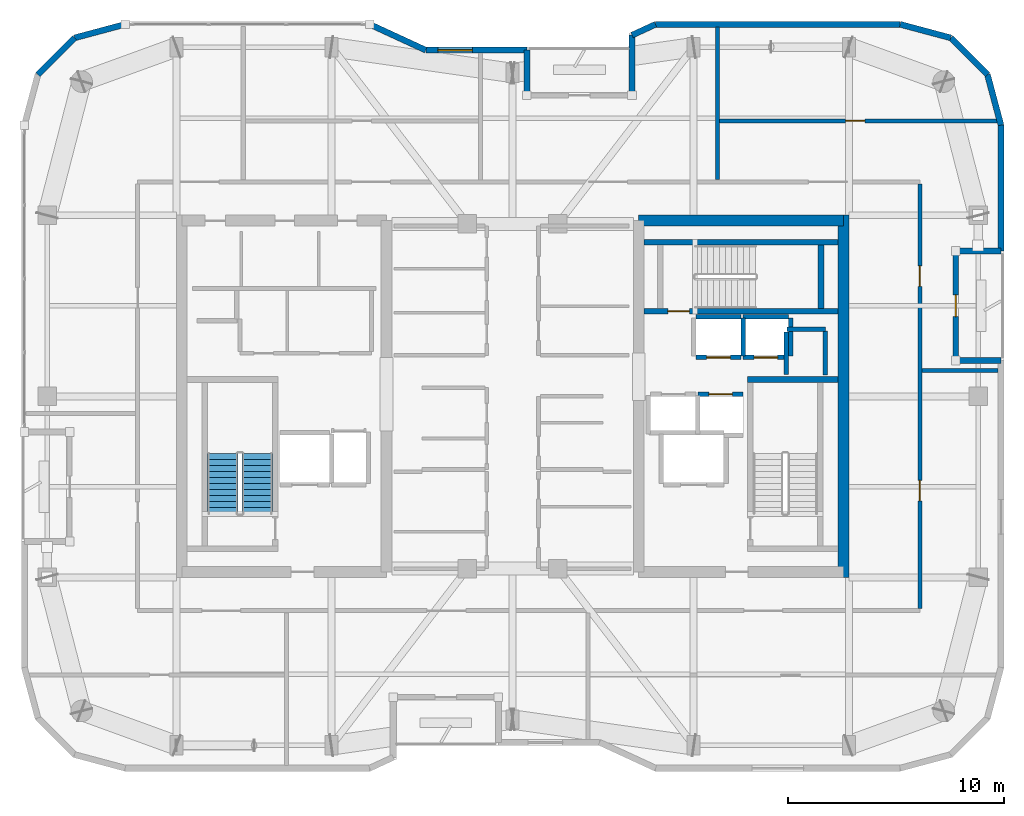
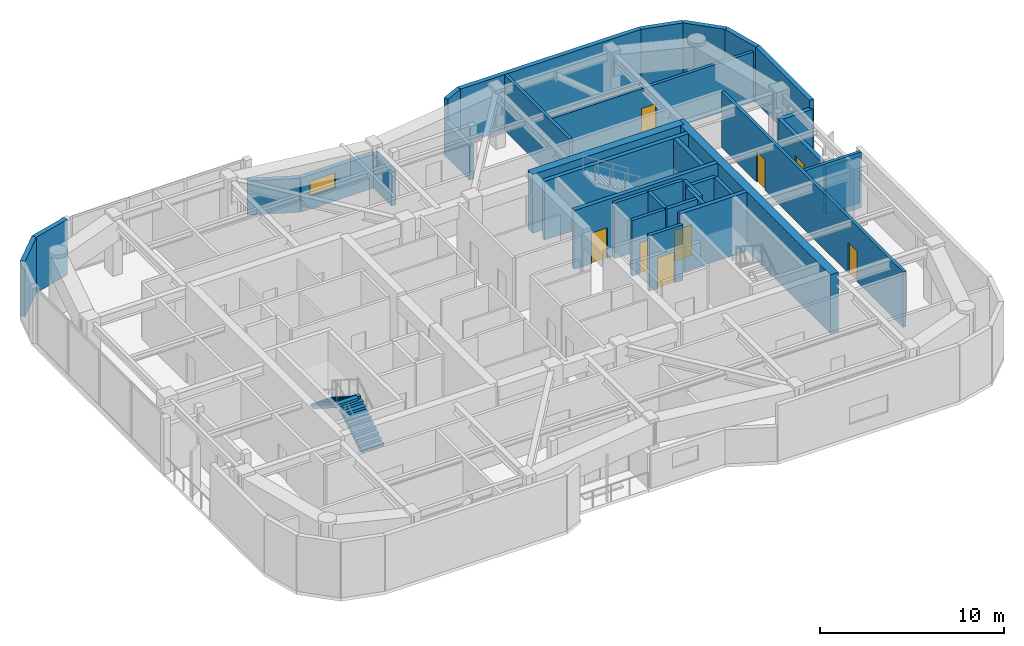
# One storey, part 13 of 16: 35 walls, 8 doors, 2 stair flights, 1 window, 9 openings, 1 element without a shape of its own.
"""IFC4 building model written with IfcOpenShell, lengths in metres."""

import ifcopenshell
import ifcopenshell.guid

model = None  # the IFC model being written
_history = None  # IfcOwnerHistory: only IFC2X3 demands one
_inside = {}  # id of a spatial element -> (the spatial element, [elements in it])
_under = {}  # id of a project, library or spatial element -> (it, [spatial elements below it])
_declared = {}  # id of a project -> (the project, [libraries it declares])
_typed = {}  # id of a type object -> (the type object, [elements of that type])
_made_of = {}  # id of a material, layer set ... -> (it, [elements and type objects made of it])


def new_model(schema):
    """Start an empty IFC model of exactly this schema.

    Asked for "IFC4X3", IfcOpenShell would pick the latest addendum, in which some entities
    have other attributes; the version numbers below select the first issue.
    IFC2X3 requires an IfcOwnerHistory on every rooted entity: one is made here for all.
    """
    global model, _history
    if schema == "IFC4X3":
        model = ifcopenshell.file(schema_version=(4, 3, 0, 0))
    else:
        model = ifcopenshell.file(schema=schema)
    _inside.clear()
    _under.clear()
    _declared.clear()
    _typed.clear()
    _made_of.clear()
    _history = None
    if model.schema == "IFC2X3":
        org = make("IfcOrganization", Name="unknown")
        user = make(
            "IfcPersonAndOrganization",
            ThePerson=make("IfcPerson", FamilyName="unknown"),
            TheOrganization=org,
        )
        app = make(
            "IfcApplication",
            ApplicationDeveloper=org,
            Version="unknown",
            ApplicationFullName="unknown",
            ApplicationIdentifier="unknown",
        )
        _history = make(
            "IfcOwnerHistory",
            OwningUser=user,
            OwningApplication=app,
            ChangeAction="ADDED",
            CreationDate=0,
        )
    return model


def make(cls, **values):
    """One entity of the class cls with the attributes given. An attribute that is None is left unset."""
    return model.create_entity(
        cls, **{name: value for name, value in values.items() if value is not None}
    )


def rooted(cls, **values):
    """An entity with a GlobalId (a new one), such as an element, a storey or a relation."""
    return make(cls, GlobalId=ifcopenshell.guid.new(), OwnerHistory=_history, **values)


def si_unit(unit_type, name, prefix=None):
    """IfcSIUnit, for example si_unit("LENGTHUNIT", "METRE", prefix="MILLI")."""
    return make("IfcSIUnit", UnitType=unit_type, Prefix=prefix, Name=name)


def assignment(units):
    """IfcUnitAssignment: the units of a project."""
    return None if units is None else make("IfcUnitAssignment", Units=units)


def point(xyz):
    """IfcCartesianPoint."""
    return None if xyz is None else make("IfcCartesianPoint", Coordinates=xyz)


def direction(xyz):
    """IfcDirection."""
    return None if xyz is None else make("IfcDirection", DirectionRatios=xyz)


def frame(location, z_axis=None, x_axis=None):
    """IfcAxis2Placement3D, a coordinate frame: its origin and axes. An axis left out is left unset."""
    return make(
        "IfcAxis2Placement3D",
        Location=point(location),
        Axis=direction(z_axis),
        RefDirection=direction(x_axis),
    )


def frame_2d(location, x_axis=None):
    """IfcAxis2Placement2D, a coordinate frame in the plane: its origin and x axis."""
    return make(
        "IfcAxis2Placement2D", Location=point(location), RefDirection=direction(x_axis)
    )


def origin():
    """The frame at (0, 0, 0) with its axes left unset."""
    return frame((0.0, 0.0, 0.0))


def place(relative_to, where):
    """IfcLocalPlacement: puts the frame where relative to a parent placement (None: the world)."""
    return make(
        "IfcLocalPlacement", PlacementRelTo=relative_to, RelativePlacement=where
    )


def context(
    kind, dimensions, precision=None, world=None, true_north=None, identifier=None
):
    """IfcGeometricRepresentationContext, for example the 3D "Model" context."""
    return make(
        "IfcGeometricRepresentationContext",
        ContextIdentifier=identifier,
        ContextType=kind,
        CoordinateSpaceDimension=dimensions,
        Precision=precision,
        WorldCoordinateSystem=world,
        TrueNorth=true_north,
    )


def subcontext(parent, identifier, kind, view, scale=None):
    """IfcGeometricRepresentationSubContext, for example "Body" below "Model"."""
    return make(
        "IfcGeometricRepresentationSubContext",
        ContextIdentifier=identifier,
        ContextType=kind,
        ParentContext=parent,
        TargetScale=scale,
        TargetView=view,
    )


def project(units=None, contexts=None):
    """IfcProject with its units and contexts."""
    return rooted(
        "IfcProject",
        Name="project",
        RepresentationContexts=contexts,
        UnitsInContext=assignment(units),
    )


def spatial(cls, under=None, at=None, **own):
    """A site, building, storey or space (cls), placed at a placement, below another one or the project."""
    s = rooted(cls, ObjectPlacement=at, **own)
    if under is not None:
        _under.setdefault(under.id(), (under, []))[1].append(s)
    return s


def polyline(points):
    """IfcPolyline through the points."""
    return make("IfcPolyline", Points=[point(p) for p in points])


def profile(cls, at=None, kind="AREA", **sizes):
    """A parametric profile (cls). Its sizes go by their IFC names, for example OverallWidth=200.0."""
    return make(cls, ProfileType=kind, Position=at, **sizes)


def rectangle(**sizes):
    """IfcRectangleProfileDef."""
    return profile("IfcRectangleProfileDef", **sizes)


def outline(outer, holes=None, kind="AREA"):
    """IfcArbitraryClosedProfileDef: a profile drawn as a closed curve; with holes, ...WithVoids."""
    if holes is None:
        return make("IfcArbitraryClosedProfileDef", ProfileType=kind, OuterCurve=outer)
    return make(
        "IfcArbitraryProfileDefWithVoids",
        ProfileType=kind,
        OuterCurve=outer,
        InnerCurves=holes,
    )


def extrude(swept, where, along, depth):
    """IfcExtrudedAreaSolid: the profile swept, set in the frame where, extruded along a direction by depth."""
    return make(
        "IfcExtrudedAreaSolid",
        SweptArea=swept,
        Position=where,
        ExtrudedDirection=direction(along),
        Depth=depth,
    )


def shape(context_of_items, identifier, shape_type, items):
    """IfcShapeRepresentation: the items that make up one representation, for example the "Body"."""
    return make(
        "IfcShapeRepresentation",
        ContextOfItems=context_of_items,
        RepresentationIdentifier=identifier,
        RepresentationType=shape_type,
        Items=items,
    )


def material(Name=None, Category=None):
    """IfcMaterial."""
    return make("IfcMaterial", Name=Name, Category=Category)


def layer(
    of_material, thickness, ventilated=None, Name=None, Category=None, Priority=None
):
    """IfcMaterialLayer: one layer of a wall or slab, of a material (None: an air gap)."""
    return make(
        "IfcMaterialLayer",
        Material=of_material,
        LayerThickness=thickness,
        IsVentilated=ventilated,
        Name=Name,
        Category=Category,
        Priority=Priority,
    )


def layer_set(layers, Name=None):
    """IfcMaterialLayerSet."""
    return make("IfcMaterialLayerSet", MaterialLayers=layers, LayerSetName=Name)


def made_of(thing, what):
    """Note that an element or type object is made of a material, layer set ...; save() writes the relation."""
    if what is not None:
        _made_of.setdefault(what.id(), (what, []))[1].append(thing)
    return thing


def type_object(cls, material=None, **own):
    """A type object (cls), such as IfcWallType, which elements share."""
    return made_of(rooted(cls, **own), material)


def element(
    cls,
    number,
    at=None,
    inside=None,
    cuts=None,
    type_object=None,
    material=None,
    context=None,
    identifier="Body",
    shape_type=None,
    held_by="IfcProductDefinitionShape",
    body=None,
    shapes=None,
    **own,
):
    """One element of the class cls, such as IfcWall. Its Tag is "e" and its number.

    at: its placement. inside: the storey or other place that contains it. cuts: it is an
    opening in that element (IfcRelVoidsElement). A single representation is given by context,
    identifier, shape_type and body (its items); several are given by shapes. held_by: the class
    of the entity that holds the representations. save() writes the other relations.
    """
    e = rooted(cls, Tag="e%d" % number, ObjectPlacement=at, **own)
    if body is not None:
        shapes = [shape(context, identifier, shape_type, body)]
    if shapes is not None:
        e.Representation = make(held_by, Representations=shapes)
    if inside is not None:
        _inside.setdefault(inside.id(), (inside, []))[1].append(e)
    if cuts is not None:
        rooted(
            "IfcRelVoidsElement", RelatingBuildingElement=cuts, RelatedOpeningElement=e
        )
    if type_object is not None:
        _typed.setdefault(type_object.id(), (type_object, []))[1].append(e)
    return made_of(e, material)


def fill(opening, filler):
    """IfcRelFillsElement: the door or window that sits in an opening."""
    return rooted(
        "IfcRelFillsElement",
        RelatingOpeningElement=opening,
        RelatedBuildingElement=filler,
    )


def aggregate(whole, parts):
    """IfcRelAggregates: a whole, such as a stair, and the parts it consists of."""
    return rooted("IfcRelAggregates", RelatingObject=whole, RelatedObjects=parts)


def save(model, path):
    """Write the relations noted so far, then the file.

    IfcRelAggregates (storeys below a building ...), IfcRelContainedInSpatialStructure (elements
    in a storey), IfcRelDefinesByType, IfcRelAssociatesMaterial and IfcRelDeclares: one each for
    every whole, place, type object, material and project.
    """
    for whole, parts in _under.values():
        aggregate(whole, parts)
    for where, things in _inside.values():
        rooted(
            "IfcRelContainedInSpatialStructure",
            RelatedElements=things,
            RelatingStructure=where,
        )
    for kind, things in _typed.values():
        rooted("IfcRelDefinesByType", RelatedObjects=things, RelatingType=kind)
    for what, things in _made_of.values():
        rooted("IfcRelAssociatesMaterial", RelatedObjects=things, RelatingMaterial=what)
    for by, libraries in _declared.values():
        rooted("IfcRelDeclares", RelatingContext=by, RelatedDefinitions=libraries)
    model.write(path)


model = new_model("IFC4")

# Units and contexts
model_context = context("Model", 3, precision=1e-05, world=origin(), true_north=direction((0.0, 1.0)))
body_context = subcontext(model_context, "Body", "Model", "MODEL_VIEW")
ifc_project = project(units=[si_unit("LENGTHUNIT", "METRE"), si_unit("AREAUNIT", "SQUARE_METRE"), si_unit("VOLUMEUNIT", "CUBIC_METRE"), si_unit("PLANEANGLEUNIT", "RADIAN"), si_unit("MASSUNIT", "GRAM", prefix="KILO")], contexts=[model_context])

# Site, building, storey
site_placement = place(None, origin())
site = spatial("IfcSite", under=ifc_project, at=site_placement, CompositionType="ELEMENT")
building_placement = place(site_placement, origin())
building = spatial("IfcBuilding", under=site, at=building_placement, Name="Kiyonajd Concourse Tower", CompositionType="ELEMENT")
storey_placement = place(building_placement, frame((0.0, 0.0, 329.699951171875)))
storey = spatial("IfcBuildingStorey", under=building, at=storey_placement, Name="L83", CompositionType="ELEMENT", Elevation=329.699951171875)

# Walls
ifc_material_1 = material(Name="Concrete C60/75", Category="concrete")
ifc_layer_1 = layer(ifc_material_1, 0.5)
ifc_layer_set_1 = layer_set([ifc_layer_1], Name="Concrete C60/75")
wall_type_1 = type_object("IfcWallType", Name="WL-CORE-500", PredefinedType="SHEAR", material=ifc_layer_set_1)
wall_1_placement = place(storey_placement, frame((63.35009765625, 27.60009765625, 0.0), z_axis=(0.0, 0.0, 1.0), x_axis=(0.0, 1.0, 0.0)))
element("IfcWall", 1, at=wall_1_placement, inside=storey, type_object=wall_type_1, Name="L83 East Core Outer Shear Wall", PredefinedType="SHEAR", context=body_context, shape_type="SweptSolid", body=[
    extrude(rectangle(XDim=16.7998046875, YDim=0.5, at=frame_2d((8.39990234375, 0.0))), origin(), (0.0, 0.0, 1.0), 3.900146484375),
])
wall_2_placement = place(storey_placement, frame((53.85009765625, 44.14990234375, 0.0), z_axis=(0.0, 0.0, 1.0), x_axis=(1.0, 0.0, 0.0)))
element("IfcWall", 2, at=wall_2_placement, inside=storey, type_object=wall_type_1, Name="L83 East Core North Shear Wall", PredefinedType="SHEAR", context=body_context, shape_type="SweptSolid", body=[
    extrude(rectangle(XDim=9.5, YDim=0.5, at=frame_2d((4.75, 0.0))), origin(), (0.0, 0.0, 1.0), 3.900146484375),
])
ifc_material_2 = material(Name="Precast concrete C50/60", Category="concrete")
ifc_layer_2 = layer(ifc_material_2, 0.280029296875)
ifc_layer_set_2 = layer_set([ifc_layer_2], Name="Precast concrete C50/60")
wall_type_2 = type_object("IfcWallType", Name="WL-EXT-280", PredefinedType="SOLIDWALL", material=ifc_layer_set_2)
wall_3_placement = place(storey_placement, frame((25.968505859375, 50.927490234375, 0.0), z_axis=(0.0, 0.0, 1.0), x_axis=(0.707106781187, 0.707106781187, 0.0)))
element("IfcWall", 3, at=wall_3_placement, inside=storey, type_object=wall_type_2, Name="L83 Exterior Concrete Frame Wall 07", PredefinedType="SOLIDWALL", context=body_context, shape_type="SweptSolid", body=[
    extrude(rectangle(XDim=2.409912109375, YDim=0.280029296875, at=frame_2d((1.205078125, 0.0))), origin(), (0.0, 0.0, 1.0), 3.679931640625),
])
wall_4_placement = place(storey_placement, frame((27.672607421875, 52.631591796875, 0.0), z_axis=(0.0, 0.0, 1.0), x_axis=(0.965937282298, 0.25877628691, 0.0)))
element("IfcWall", 4, at=wall_4_placement, inside=storey, type_object=wall_type_2, Name="L83 Exterior Concrete Frame Wall 08", PredefinedType="SOLIDWALL", context=body_context, shape_type="SweptSolid", body=[
    extrude(rectangle(XDim=2.428466796875, YDim=0.280029296875, at=frame_2d((1.21435546875, 0.0))), origin(), (0.0, 0.0, 1.0), 3.679931640625),
])
wall_5_placement = place(storey_placement, frame((41.369384765625, 53.260009765625, 0.0), z_axis=(0.0, 0.0, 1.0), x_axis=(0.907956889006, -0.419063584324, 0.0)))
element("IfcWall", 5, at=wall_5_placement, inside=storey, type_object=wall_type_2, Name="L83 Exterior Concrete Frame Wall 10", PredefinedType="SOLIDWALL", context=body_context, shape_type="SweptSolid", body=[
    extrude(rectangle(XDim=2.863525390625, YDim=0.280029296875, at=frame_2d((1.431640625, 0.0))), origin(), (0.0, 0.0, 1.0), 2.26513671875),
])

# Wall, opening, window
wall_6_placement = place(storey_placement, frame((43.96923828125, 52.06005859375, 0.0), z_axis=(0.0, 0.0, 1.0), x_axis=(1.0, 0.0, 0.0)))
wall_6 = element("IfcWall", 6, at=wall_6_placement, inside=storey, type_object=wall_type_2, Name="L83 Exterior Concrete Frame Wall 11", PredefinedType="SOLIDWALL", context=body_context, shape_type="SweptSolid", body=[
    extrude(rectangle(XDim=4.690673828125, YDim=0.280029296875, at=frame_2d((2.34521484375, 0.0))), origin(), (0.0, 0.0, 1.0), 2.26513671875),
])
opening_1_placement = place(wall_6_placement, frame((0.56005859375, 0.0, 0.85009765625)))
opening_1 = element("IfcOpeningElement", 7, at=opening_1_placement, cuts=wall_6, Name="Opening WN6", PredefinedType="OPENING", context=body_context, shape_type="SweptSolid", body=[
    extrude(rectangle(XDim=1.60009765625, YDim=1.0, at=frame_2d((0.800048828125, 0.5))), frame((0.0, 0.14990234375, 0.0), z_axis=(0.0, -1.0, 0.0), x_axis=(1.0, 0.0, 0.0)), (0.0, 0.0, 1.0), 0.300048828125),
])
ifc_material_3 = material(Name="Double Low-E Insulated Glass", Category="glass")
window_type = type_object("IfcWindowType", Name="WN-VIS-1600x1000", PartitioningType="SINGLE_PANEL", PredefinedType="WINDOW", material=ifc_material_3)
window_placement = place(opening_1_placement, origin())
window = element("IfcWindow", 8, at=window_placement, inside=storey, type_object=window_type, Name="L83 Modular Facade Vision Window 11", OverallHeight=1.0, OverallWidth=1.60009765625, PartitioningType="SINGLE_PANEL", PredefinedType="WINDOW", context=body_context, shape_type="SweptSolid", body=[
    extrude(rectangle(XDim=1.60009765625, YDim=1.0, at=frame_2d((0.800048828125, 0.5))), frame((0.0, 0.030029296875, 0.0), z_axis=(0.0, -1.0, 0.0), x_axis=(1.0, 0.0, 0.0)), (0.0, 0.0, 1.0), 0.06005859375),
])
fill(opening_1, window)

# Walls
wall_7_placement = place(storey_placement, frame((48.659912109375, 52.06005859375, 0.0), z_axis=(0.0, 0.0, 1.0), x_axis=(0.0, -1.0, 0.0)))
element("IfcWall", 9, at=wall_7_placement, inside=storey, type_object=wall_type_2, Name="L83 Exterior Concrete Frame Wall 12", PredefinedType="SOLIDWALL", context=body_context, shape_type="SweptSolid", body=[
    extrude(rectangle(XDim=2.10009765625, YDim=0.280029296875, at=frame_2d((1.050048828125, 0.0))), origin(), (0.0, 0.0, 1.0), 2.26513671875),
])
wall_8_placement = place(storey_placement, frame((53.5400390625, 49.9599609375, 0.0), z_axis=(0.0, 0.0, 1.0), x_axis=(0.0, 1.0, 0.0)))
element("IfcWall", 10, at=wall_8_placement, inside=storey, type_object=wall_type_2, Name="L83 Exterior Concrete Frame Wall 14", PredefinedType="SOLIDWALL", context=body_context, shape_type="SweptSolid", body=[
    extrude(rectangle(XDim=2.79638671875, YDim=0.280029296875, at=frame_2d((1.398193359375, 0.0))), origin(), (0.0, 0.0, 1.0), 2.26513671875),
])
wall_9_placement = place(storey_placement, frame((53.5400390625, 52.75634765625, 0.0), z_axis=(0.0, 0.0, 1.0), x_axis=(0.907893953211, 0.419199916176, 0.0)))
element("IfcWall", 11, at=wall_9_placement, inside=storey, type_object=wall_type_2, Name="L83 Exterior Concrete Frame Wall 15", PredefinedType="SOLIDWALL", context=body_context, shape_type="SweptSolid", body=[
    extrude(rectangle(XDim=1.201416015625, YDim=0.280029296875, at=frame_2d((0.6005859375, 0.0))), origin(), (0.0, 0.0, 1.0), 3.679931640625),
])
wall_10_placement = place(storey_placement, frame((54.630859375, 53.260009765625, 0.0), z_axis=(0.0, 0.0, 1.0), x_axis=(1.0, 0.0, 0.0)))
element("IfcWall", 12, at=wall_10_placement, inside=storey, type_object=wall_type_2, Name="L83 Exterior Concrete Frame Wall 16", PredefinedType="SOLIDWALL", context=body_context, shape_type="SweptSolid", body=[
    extrude(rectangle(XDim=11.350830078125, YDim=0.280029296875, at=frame_2d((5.67529296875, 0.0))), origin(), (0.0, 0.0, 1.0), 3.679931640625),
])
wall_11_placement = place(storey_placement, frame((65.981689453125, 53.260009765625, 0.0), z_axis=(0.0, 0.0, 1.0), x_axis=(0.965937282298, -0.25877628691, 0.0)))
element("IfcWall", 13, at=wall_11_placement, inside=storey, type_object=wall_type_2, Name="L83 Exterior Concrete Frame Wall 17", PredefinedType="SOLIDWALL", context=body_context, shape_type="SweptSolid", body=[
    extrude(rectangle(XDim=2.428466796875, YDim=0.280029296875, at=frame_2d((1.21435546875, 0.0))), origin(), (0.0, 0.0, 1.0), 3.679931640625),
])
wall_12_placement = place(storey_placement, frame((68.327392578125, 52.631591796875, 0.0), z_axis=(0.0, 0.0, 1.0), x_axis=(0.707106781187, -0.707106781187, 0.0)))
element("IfcWall", 14, at=wall_12_placement, inside=storey, type_object=wall_type_2, Name="L83 Exterior Concrete Frame Wall 18", PredefinedType="SOLIDWALL", context=body_context, shape_type="SweptSolid", body=[
    extrude(rectangle(XDim=2.409912109375, YDim=0.280029296875, at=frame_2d((1.205078125, 0.0))), origin(), (0.0, 0.0, 1.0), 3.679931640625),
])
wall_13_placement = place(storey_placement, frame((70.031494140625, 50.927490234375, 0.0), z_axis=(0.0, 0.0, 1.0), x_axis=(0.258751159445, -0.965944013639, 0.0)))
element("IfcWall", 15, at=wall_13_placement, inside=storey, type_object=wall_type_2, Name="L83 Exterior Concrete Frame Wall 19", PredefinedType="SOLIDWALL", context=body_context, shape_type="SweptSolid", body=[
    extrude(rectangle(XDim=2.4287109375, YDim=0.280029296875, at=frame_2d((1.21435546875, 0.0))), origin(), (0.0, 0.0, 1.0), 3.679931640625),
])
wall_14_placement = place(storey_placement, frame((70.659912109375, 48.58154296875, 0.0), z_axis=(0.0, 0.0, 1.0), x_axis=(0.0, -1.0, 0.0)))
element("IfcWall", 16, at=wall_14_placement, inside=storey, type_object=wall_type_2, Name="L83 Exterior Concrete Frame Wall 20", PredefinedType="SOLIDWALL", context=body_context, shape_type="SweptSolid", body=[
    extrude(rectangle(XDim=5.841552734375, YDim=0.280029296875, at=frame_2d((2.9208984375, 0.0))), origin(), (0.0, 0.0, 1.0), 3.679931640625),
])
for number, where, z_axis, x_axis, name in (
    (17, (70.659912109375, 42.739990234375, 0.0), (0.0, 0.0, 1.0), (-1.0, 0.0, 0.0), "L83 Exterior Concrete Frame Wall 21"),
    (18, (68.56005859375, 37.659912109375, 0.0), (0.0, 0.0, 1.0), (1.0, 0.0, 0.0), "L83 Exterior Concrete Frame Wall 23"),
):
    element("IfcWall", number, at=place(storey_placement, frame(where, z_axis=z_axis, x_axis=x_axis)), inside=storey, type_object=wall_type_2, Name=name, PredefinedType="SOLIDWALL", context=body_context, shape_type="SweptSolid", body=[
        extrude(rectangle(XDim=2.099853515625, YDim=0.280029296875, at=frame_2d((1.0498046875, 0.0))), origin(), (0.0, 0.0, 1.0), 3.1259765625),
    ])

# Wall, opening, door
ifc_layer_3 = layer(ifc_material_2, 0.239990234375)
ifc_layer_set_3 = layer_set([ifc_layer_3], Name="Precast concrete C50/60")
wall_type_3 = type_object("IfcWallType", Name="WL-LOG-240", PredefinedType="SOLIDWALL", material=ifc_layer_set_3)
wall_15_placement = place(storey_placement, frame((68.56005859375, 42.544921875, 0.0), z_axis=(0.0, 0.0, 1.0), x_axis=(0.0, -1.0, 0.0)))
wall_15 = element("IfcWall", 19, at=wall_15_placement, inside=storey, type_object=wall_type_3, Name="L83 Recessed Loggia Thermal Wall LOG-E", PredefinedType="SOLIDWALL", context=body_context, shape_type="SweptSolid", body=[
    extrude(rectangle(XDim=4.68994140625, YDim=0.239990234375, at=frame_2d((2.344970703125, 0.0))), origin(), (0.0, 0.0, 1.0), 3.31103515625),
])
opening_2_placement = place(wall_15_placement, frame((1.844970703125, 0.0, 0.0)))
opening_2 = element("IfcOpeningElement", 20, at=opening_2_placement, cuts=wall_15, Name="Opening DL1", PredefinedType="OPENING", context=body_context, shape_type="SweptSolid", body=[
    extrude(rectangle(XDim=1.0, YDim=2.02001953125, at=frame_2d((0.5, 1.010009765625))), frame((0.0, 0.1298828125, 0.0), z_axis=(0.0, -1.0, 0.0), x_axis=(1.0, 0.0, 0.0)), (0.0, 0.0, 1.0), 0.260009765625),
])
ifc_material_4 = material(Name="Thermally Broken Anodised Aluminium", Category="aluminium")
door_type_1 = type_object("IfcDoorType", Name="DR-LOG-1000", OperationType="NOTDEFINED", PredefinedType="DOOR", material=ifc_material_4)
door_1_placement = place(opening_2_placement, origin())
door_1 = element("IfcDoor", 21, at=door_1_placement, inside=storey, type_object=door_type_1, Name="L83 Engawa Loggia Access Door LOG-E", OperationType="SINGLE_SWING_LEFT", OverallHeight=2.02001953125, OverallWidth=1.0, PredefinedType="DOOR", context=body_context, shape_type="SweptSolid", body=[
    extrude(rectangle(XDim=1.0, YDim=2.02001953125, at=frame_2d((0.5, 1.010009765625))), frame((0.0, 0.02490234375, 0.0), z_axis=(0.0, -1.0, 0.0), x_axis=(1.0, 0.0, 0.0)), (0.0, 0.0, 1.0), 0.050048828125),
])
fill(opening_2, door_1)

# Wall, openings, doors
ifc_material_5 = material(Name="Gypsum Board on Cold-Formed Steel Stud", Category="steel")
ifc_layer_4 = layer(ifc_material_5, 0.18994140625)
ifc_layer_set_4 = layer_set([ifc_layer_4], Name="Gypsum Board on Cold-Formed Steel Stud")
wall_type_4 = type_object("IfcWallType", Name="WL-PLMB-190", PredefinedType="PLUMBINGWALL", material=ifc_layer_set_4)
wall_16_placement = place(storey_placement, frame((66.89990234375, 26.14697265625, 0.0), z_axis=(0.0, 0.0, 1.0), x_axis=(0.0, 1.0, 0.0)))
wall_16 = element("IfcWall", 22, at=wall_16_placement, inside=storey, type_object=wall_type_4, Name="L83 Interior Partition Wall", PredefinedType="PLUMBINGWALL", context=body_context, shape_type="SweptSolid", body=[
    extrude(rectangle(XDim=19.7060546875, YDim=0.18994140625, at=frame_2d((9.85302734375, 0.0))), origin(), (0.0, 0.0, 1.0), 3.679931640625),
])
opening_3_placement = place(wall_16_placement, frame((5.0029296875, 0.0, 0.0)))
opening_3 = element("IfcOpeningElement", 23, at=opening_3_placement, cuts=wall_16, Name="Opening DI1", PredefinedType="OPENING", context=body_context, shape_type="SweptSolid", body=[
    extrude(rectangle(XDim=0.949951171875, YDim=2.0400390625, at=frame_2d((0.47509765625, 1.02001953125))), frame((0.0, 0.10498046875, 0.0), z_axis=(0.0, -1.0, 0.0), x_axis=(1.0, 0.0, 0.0)), (0.0, 0.0, 1.0), 0.2099609375),
])
opening_4_placement = place(wall_16_placement, frame((14.952880859375, 0.0, 0.0)))
opening_4 = element("IfcOpeningElement", 24, at=opening_4_placement, cuts=wall_16, Name="Opening DI1", PredefinedType="OPENING", context=body_context, shape_type="SweptSolid", body=[
    extrude(rectangle(XDim=0.949951171875, YDim=2.0400390625, at=frame_2d((0.47509765625, 1.02001953125))), frame((0.0, 0.10498046875, 0.0), z_axis=(0.0, -1.0, 0.0), x_axis=(1.0, 0.0, 0.0)), (0.0, 0.0, 1.0), 0.2099609375),
])
ifc_material_6 = material(Name="Natural Oak Acoustic Timber Veneer", Category="wood")
door_type_2 = type_object("IfcDoorType", Name="DR-INT-950", OperationType="NOTDEFINED", PredefinedType="DOOR", material=ifc_material_6)
door_2_placement = place(opening_3_placement, origin())
door_2 = element("IfcDoor", 25, at=door_2_placement, inside=storey, type_object=door_type_2, Name="L83 Interior Door", OperationType="SINGLE_SWING_LEFT", OverallHeight=2.0400390625, OverallWidth=0.949951171875, PredefinedType="DOOR", context=body_context, shape_type="SweptSolid", body=[
    extrude(rectangle(XDim=0.949951171875, YDim=2.0400390625, at=frame_2d((0.47509765625, 1.02001953125))), frame((0.0, 0.02490234375, 0.0), z_axis=(0.0, -1.0, 0.0), x_axis=(1.0, 0.0, 0.0)), (0.0, 0.0, 1.0), 0.050048828125),
])
fill(opening_3, door_2)
door_3_placement = place(opening_4_placement, origin())
door_3 = element("IfcDoor", 26, at=door_3_placement, inside=storey, type_object=door_type_2, Name="L83 Interior Door", OperationType="SINGLE_SWING_RIGHT", OverallHeight=2.0400390625, OverallWidth=0.949951171875, PredefinedType="DOOR", context=body_context, shape_type="SweptSolid", body=[
    extrude(rectangle(XDim=0.949951171875, YDim=2.0400390625, at=frame_2d((0.47509765625, 1.02001953125))), frame((0.0, 0.02490234375, 0.0), z_axis=(0.0, -1.0, 0.0), x_axis=(1.0, 0.0, 0.0)), (0.0, 0.0, 1.0), 0.050048828125),
])
fill(opening_4, door_3)

# Wall, opening, door
wall_17_placement = place(storey_placement, frame((57.5, 48.780029296875, 0.0), z_axis=(0.0, 0.0, 1.0), x_axis=(1.0, 0.0, 0.0)))
wall_17 = element("IfcWall", 27, at=wall_17_placement, inside=storey, type_object=wall_type_4, Name="L83 Interior Partition Wall", PredefinedType="PLUMBINGWALL", context=body_context, shape_type="SweptSolid", body=[
    extrude(rectangle(XDim=12.965087890625, YDim=0.18994140625, at=frame_2d((6.482421875, 0.0))), origin(), (0.0, 0.0, 1.0), 3.31103515625),
])
opening_5_placement = place(wall_17_placement, frame((5.949951171875, 0.0, 0.0)))
opening_5 = element("IfcOpeningElement", 28, at=opening_5_placement, cuts=wall_17, Name="Opening DI2", PredefinedType="OPENING", context=body_context, shape_type="SweptSolid", body=[
    extrude(rectangle(XDim=0.89990234375, YDim=2.02001953125, at=frame_2d((0.449951171875, 1.010009765625))), frame((0.0, 0.10498046875, 0.0), z_axis=(0.0, -1.0, 0.0), x_axis=(1.0, 0.0, 0.0)), (0.0, 0.0, 1.0), 0.2099609375),
])
door_type_3 = type_object("IfcDoorType", Name="DR-INT-900", OperationType="NOTDEFINED", PredefinedType="DOOR", material=ifc_material_6)
door_4_placement = place(opening_5_placement, origin())
door_4 = element("IfcDoor", 29, at=door_4_placement, inside=storey, type_object=door_type_3, Name="L83 Interior Door", OperationType="SINGLE_SWING_RIGHT", OverallHeight=2.02001953125, OverallWidth=0.89990234375, PredefinedType="DOOR", context=body_context, shape_type="SweptSolid", body=[
    extrude(rectangle(XDim=0.89990234375, YDim=2.02001953125, at=frame_2d((0.449951171875, 1.010009765625))), frame((0.0, 0.02490234375, 0.0), z_axis=(0.0, -1.0, 0.0), x_axis=(1.0, 0.0, 0.0)), (0.0, 0.0, 1.0), 0.050048828125),
])
fill(opening_5, door_4)

# Walls
wall_18_placement = place(storey_placement, frame((57.5, 46.047119140625, 0.0), z_axis=(0.0, 0.0, 1.0), x_axis=(0.0, 1.0, 0.0)))
element("IfcWall", 30, at=wall_18_placement, inside=storey, type_object=wall_type_4, Name="L83 Interior Partition Wall", PredefinedType="PLUMBINGWALL", context=body_context, shape_type="SweptSolid", body=[
    extrude(rectangle(XDim=7.077880859375, YDim=0.18994140625, at=frame_2d((3.5390625, 0.0))), origin(), (0.0, 0.0, 1.0), 3.679931640625),
])
wall_19_placement = place(storey_placement, frame((66.9970703125, 37.199951171875, 0.0), z_axis=(0.0, 0.0, 1.0), x_axis=(1.0, 0.0, 0.0)))
element("IfcWall", 31, at=wall_19_placement, inside=storey, type_object=wall_type_4, Name="L83 Interior Partition Wall", PredefinedType="PLUMBINGWALL", context=body_context, shape_type="SweptSolid", body=[
    extrude(rectangle(XDim=3.52783203125, YDim=0.18994140625, at=frame_2d((1.763916015625, 0.0))), origin(), (0.0, 0.0, 1.0), 3.679931640625),
])
ifc_layer_5 = layer(ifc_material_5, 0.2099609375)
ifc_layer_set_5 = layer_set([ifc_layer_5], Name="Gypsum Board on Cold-Formed Steel Stud")
wall_type_5 = type_object("IfcWallType", Name="WL-SHAFT-210", PredefinedType="PARTITIONING", material=ifc_layer_set_5)
wall_20_placement = place(storey_placement, frame((60.719970703125, 39.10009765625, 0.0), z_axis=(0.0, 0.0, 1.0), x_axis=(1.0, 0.0, 0.0)))
element("IfcWall", 32, at=wall_20_placement, inside=storey, type_object=wall_type_5, Name="L83 Shaft Enclosure Wall", PredefinedType="PARTITIONING", context=body_context, shape_type="SweptSolid", body=[
    extrude(rectangle(XDim=1.800048828125, YDim=0.2099609375, at=frame_2d((0.89990234375, 0.0))), origin(), (0.0, 0.0, 1.0), 3.679931640625),
])
wall_21_placement = place(storey_placement, frame((60.699951171875, 37.02001953125, 0.0), z_axis=(0.0, 0.0, 1.0), x_axis=(0.0, 1.0, 0.0)))
element("IfcWall", 33, at=wall_21_placement, inside=storey, type_object=wall_type_5, Name="L83 Shaft Enclosure Wall", PredefinedType="PARTITIONING", context=body_context, shape_type="SweptSolid", body=[
    extrude(rectangle(XDim=1.9599609375, YDim=0.2099609375, at=frame_2d((0.97998046875, 0.0))), origin(), (0.0, 0.0, 1.0), 3.679931640625),
])
wall_22_placement = place(storey_placement, frame((62.5, 36.97998046875, 0.0), z_axis=(0.0, 0.0, 1.0), x_axis=(0.0, 1.0, 0.0)))
element("IfcWall", 34, at=wall_22_placement, inside=storey, type_object=wall_type_5, Name="L83 Shaft Enclosure Wall", PredefinedType="PARTITIONING", context=body_context, shape_type="SweptSolid", body=[
    extrude(rectangle(XDim=2.0400390625, YDim=0.2099609375, at=frame_2d((1.02001953125, 0.0))), origin(), (0.0, 0.0, 1.0), 3.679931640625),
])

# Wall, opening, door
wall_23_placement = place(storey_placement, frame((56.60009765625, 36.10009765625, 0.0), z_axis=(0.0, 0.0, 1.0), x_axis=(1.0, 0.0, 0.0)))
wall_23 = element("IfcWall", 35, at=wall_23_placement, inside=storey, type_object=wall_type_5, Name="L83 Shaft Enclosure Wall", PredefinedType="PARTITIONING", context=body_context, shape_type="SweptSolid", body=[
    extrude(rectangle(XDim=2.099853515625, YDim=0.2099609375, at=frame_2d((1.0498046875, 0.0))), origin(), (0.0, 0.0, 1.0), 3.679931640625),
])
opening_6_placement = place(wall_23_placement, frame((0.5, 0.0, 0.0)))
opening_6 = element("IfcOpeningElement", 36, at=opening_6_placement, cuts=wall_23, Name="Opening LD1", PredefinedType="OPENING", context=body_context, shape_type="SweptSolid", body=[
    extrude(rectangle(XDim=1.10009765625, YDim=2.0400390625, at=frame_2d((0.550048828125, 1.02001953125))), frame((0.0, 0.114990234375, 0.0), z_axis=(0.0, -1.0, 0.0), x_axis=(1.0, 0.0, 0.0)), (0.0, 0.0, 1.0), 0.22998046875),
])
ifc_material_7 = material(Name="Brushed Stainless Steel Cab Assembly", Category="steel")
door_type_4 = type_object("IfcDoorType", Name="DR-LD-1100", OperationType="DOUBLE_DOOR_SLIDING", PredefinedType="DOOR", material=ifc_material_7)
door_5_placement = place(opening_6_placement, origin())
door_5 = element("IfcDoor", 37, at=door_5_placement, inside=storey, type_object=door_type_4, Name="L83 Lift PL-H2 Sliding Landing Door", OperationType="DOUBLE_DOOR_SLIDING", OverallHeight=2.0400390625, OverallWidth=1.10009765625, PredefinedType="DOOR", context=body_context, shape_type="SweptSolid", body=[
    extrude(rectangle(XDim=1.10009765625, YDim=2.0400390625, at=frame_2d((0.550048828125, 1.02001953125))), frame((0.0, 0.02490234375, 0.0), z_axis=(0.0, -1.0, 0.0), x_axis=(1.0, 0.0, 0.0)), (0.0, 0.0, 1.0), 0.050048828125),
])
fill(opening_6, door_5)

wall_24_placement = place(storey_placement, frame((56.5, 37.800048828125, 0.0), z_axis=(0.0, 0.0, 1.0), x_axis=(1.0, 0.0, 0.0)))
wall_24 = element("IfcWall", 38, at=wall_24_placement, inside=storey, type_object=wall_type_5, Name="L83 Shaft Enclosure Wall", PredefinedType="PARTITIONING", context=body_context, shape_type="SweptSolid", body=[
    extrude(rectangle(XDim=2.10009765625, YDim=0.2099609375, at=frame_2d((1.050048828125, 0.0))), origin(), (0.0, 0.0, 1.0), 3.679931640625),
])
opening_7_placement = place(wall_24_placement, frame((0.5, 0.0, 0.0)))
opening_7 = element("IfcOpeningElement", 39, at=opening_7_placement, cuts=wall_24, Name="Opening LD1", PredefinedType="OPENING", context=body_context, shape_type="SweptSolid", body=[
    extrude(rectangle(XDim=1.10009765625, YDim=2.0400390625, at=frame_2d((0.550048828125, 1.02001953125))), frame((0.0, 0.114990234375, 0.0), z_axis=(0.0, -1.0, 0.0), x_axis=(1.0, 0.0, 0.0)), (0.0, 0.0, 1.0), 0.22998046875),
])
door_6_placement = place(opening_7_placement, origin())
door_6 = element("IfcDoor", 40, at=door_6_placement, inside=storey, type_object=door_type_4, Name="L83 Lift PL-H3 Sliding Landing Door", OperationType="DOUBLE_DOOR_SLIDING", OverallHeight=2.0400390625, OverallWidth=1.10009765625, PredefinedType="DOOR", context=body_context, shape_type="SweptSolid", body=[
    extrude(rectangle(XDim=1.10009765625, YDim=2.0400390625, at=frame_2d((0.550048828125, 1.02001953125))), frame((0.0, 0.02490234375, 0.0), z_axis=(0.0, -1.0, 0.0), x_axis=(1.0, 0.0, 0.0)), (0.0, 0.0, 1.0), 0.050048828125),
])
fill(opening_7, door_6)

# Walls
wall_25_placement = place(storey_placement, frame((56.5, 39.699951171875, 0.0), z_axis=(0.0, 0.0, 1.0), x_axis=(1.0, 0.0, 0.0)))
element("IfcWall", 41, at=wall_25_placement, inside=storey, type_object=wall_type_5, Name="L83 Shaft Enclosure Wall", PredefinedType="PARTITIONING", context=body_context, shape_type="SweptSolid", body=[
    extrude(rectangle(XDim=2.10009765625, YDim=0.2099609375, at=frame_2d((1.050048828125, 0.0))), origin(), (0.0, 0.0, 1.0), 3.679931640625),
])
wall_26_placement = place(storey_placement, frame((58.699951171875, 37.860107421875, 0.0), z_axis=(0.0, 0.0, 1.0), x_axis=(0.0, 1.0, 0.0)))
element("IfcWall", 42, at=wall_26_placement, inside=storey, type_object=wall_type_5, Name="L83 Shaft Enclosure Wall", PredefinedType="PARTITIONING", context=body_context, shape_type="SweptSolid", body=[
    extrude(rectangle(XDim=1.77978515625, YDim=0.2099609375, at=frame_2d((0.889892578125, 0.0))), origin(), (0.0, 0.0, 1.0), 3.679931640625),
])

# Wall, opening, door
wall_27_placement = place(storey_placement, frame((58.699951171875, 37.800048828125, 0.0), z_axis=(0.0, 0.0, 1.0), x_axis=(1.0, 0.0, 0.0)))
wall_27 = element("IfcWall", 43, at=wall_27_placement, inside=storey, type_object=wall_type_5, Name="L83 Shaft Enclosure Wall", PredefinedType="PARTITIONING", context=body_context, shape_type="SweptSolid", body=[
    extrude(rectangle(XDim=2.10009765625, YDim=0.2099609375, at=frame_2d((1.050048828125, 0.0))), origin(), (0.0, 0.0, 1.0), 3.679931640625),
])
opening_8_placement = place(wall_27_placement, frame((0.5, 0.0, 0.0)))
opening_8 = element("IfcOpeningElement", 44, at=opening_8_placement, cuts=wall_27, Name="Opening LD1", PredefinedType="OPENING", context=body_context, shape_type="SweptSolid", body=[
    extrude(rectangle(XDim=1.10009765625, YDim=2.0400390625, at=frame_2d((0.550048828125, 1.02001953125))), frame((0.0, 0.114990234375, 0.0), z_axis=(0.0, -1.0, 0.0), x_axis=(1.0, 0.0, 0.0)), (0.0, 0.0, 1.0), 0.22998046875),
])
door_7_placement = place(opening_8_placement, origin())
door_7 = element("IfcDoor", 45, at=door_7_placement, inside=storey, type_object=door_type_4, Name="L83 Lift PL-H4 Sliding Landing Door", OperationType="DOUBLE_DOOR_SLIDING", OverallHeight=2.0400390625, OverallWidth=1.10009765625, PredefinedType="DOOR", context=body_context, shape_type="SweptSolid", body=[
    extrude(rectangle(XDim=1.10009765625, YDim=2.0400390625, at=frame_2d((0.550048828125, 1.02001953125))), frame((0.0, 0.02490234375, 0.0), z_axis=(0.0, -1.0, 0.0), x_axis=(1.0, 0.0, 0.0)), (0.0, 0.0, 1.0), 0.050048828125),
])
fill(opening_8, door_7)

# Walls
wall_28_placement = place(storey_placement, frame((58.699951171875, 39.699951171875, 0.0), z_axis=(0.0, 0.0, 1.0), x_axis=(1.0, 0.0, 0.0)))
element("IfcWall", 46, at=wall_28_placement, inside=storey, type_object=wall_type_5, Name="L83 Shaft Enclosure Wall", PredefinedType="PARTITIONING", context=body_context, shape_type="SweptSolid", body=[
    extrude(rectangle(XDim=2.10009765625, YDim=0.2099609375, at=frame_2d((1.050048828125, 0.0))), origin(), (0.0, 0.0, 1.0), 3.679931640625),
])
wall_29_placement = place(storey_placement, frame((60.89990234375, 37.860107421875, 0.0), z_axis=(0.0, 0.0, 1.0), x_axis=(0.0, 1.0, 0.0)))
element("IfcWall", 47, at=wall_29_placement, inside=storey, type_object=wall_type_5, Name="L83 Shaft Enclosure Wall", PredefinedType="PARTITIONING", context=body_context, shape_type="SweptSolid", body=[
    extrude(rectangle(XDim=1.77978515625, YDim=0.2099609375, at=frame_2d((0.889892578125, 0.0))), origin(), (0.0, 0.0, 1.0), 3.679931640625),
])
ifc_material_8 = material(Name="Concrete C50/60", Category="concrete")
ifc_layer_6 = layer(ifc_material_8, 0.260009765625)
ifc_layer_set_6 = layer_set([ifc_layer_6], Name="Concrete C50/60")
wall_type_6 = type_object("IfcWallType", Name="WL-STAIR-260", PredefinedType="SHEAR", material=ifc_layer_set_6)
wall_30_placement = place(storey_placement, frame((58.889892578125, 36.780029296875, 0.0), z_axis=(0.0, 0.0, 1.0), x_axis=(1.0, 0.0, 0.0)))
element("IfcWall", 48, at=wall_30_placement, inside=storey, type_object=wall_type_6, Name="L83 Stair ST2 Structural North Wall", PredefinedType="SHEAR", context=body_context, shape_type="SweptSolid", body=[
    extrude(rectangle(XDim=4.210205078125, YDim=0.260009765625, at=frame_2d((2.10498046875, 0.0))), origin(), (0.0, 0.0, 1.0), 3.900146484375),
])

# Wall, opening, door
wall_31_placement = place(storey_placement, frame((54.10009765625, 39.949951171875, 0.0), z_axis=(0.0, 0.0, 1.0), x_axis=(1.0, 0.0, 0.0)))
wall_31 = element("IfcWall", 49, at=wall_31_placement, inside=storey, type_object=wall_type_6, Name="L83 Stair ST3 Structural South Wall", PredefinedType="SHEAR", context=body_context, shape_type="SweptSolid", body=[
    extrude(rectangle(XDim=9.0, YDim=0.260009765625, at=frame_2d((4.5, 0.0))), origin(), (0.0, 0.0, 1.0), 3.900146484375),
])
opening_9_placement = place(wall_31_placement, frame((1.10009765625, 0.0, 0.0)))
opening_9 = element("IfcOpeningElement", 50, at=opening_9_placement, cuts=wall_31, Name="Opening DF1", PredefinedType="OPENING", context=body_context, shape_type="SweptSolid", body=[
    extrude(rectangle(XDim=1.0, YDim=2.0400390625, at=frame_2d((0.5, 1.02001953125))), frame((0.0, 0.139892578125, 0.0), z_axis=(0.0, -1.0, 0.0), x_axis=(1.0, 0.0, 0.0)), (0.0, 0.0, 1.0), 0.280029296875),
])
door_type_5 = type_object("IfcDoorType", Name="DR-FD90-1000", OperationType="NOTDEFINED", PredefinedType="DOOR", material=ifc_material_7)
door_8_placement = place(opening_9_placement, origin())
door_8 = element("IfcDoor", 51, at=door_8_placement, inside=storey, type_object=door_type_5, Name="L83 Stair ST3 Enclosure Door", OperationType="SINGLE_SWING_LEFT", OverallHeight=2.0400390625, OverallWidth=1.0, PredefinedType="DOOR", context=body_context, shape_type="SweptSolid", body=[
    extrude(rectangle(XDim=1.0, YDim=2.0400390625, at=frame_2d((0.5, 1.02001953125))), frame((0.0, 0.02490234375, 0.0), z_axis=(0.0, -1.0, 0.0), x_axis=(1.0, 0.0, 0.0)), (0.0, 0.0, 1.0), 0.050048828125),
])
fill(opening_9, door_8)

# Walls
wall_32_placement = place(storey_placement, frame((54.10009765625, 43.14990234375, 0.0), z_axis=(0.0, 0.0, 1.0), x_axis=(1.0, 0.0, 0.0)))
element("IfcWall", 52, at=wall_32_placement, inside=storey, type_object=wall_type_6, Name="L83 Stair ST3 Structural North Wall", PredefinedType="SHEAR", context=body_context, shape_type="SweptSolid", body=[
    extrude(rectangle(XDim=9.0, YDim=0.260009765625, at=frame_2d((4.5, 0.0))), origin(), (0.0, 0.0, 1.0), 3.900146484375),
])
wall_33_placement = place(storey_placement, frame((62.31005859375, 40.080078125, 0.0), z_axis=(0.0, 0.0, 1.0), x_axis=(0.0, 1.0, 0.0)))
element("IfcWall", 53, at=wall_33_placement, inside=storey, type_object=wall_type_6, Name="L83 Stair ST3 Structural East Wall", PredefinedType="SHEAR", context=body_context, shape_type="SweptSolid", body=[
    extrude(rectangle(XDim=2.93994140625, YDim=0.260009765625, at=frame_2d((1.469970703125, 0.0))), origin(), (0.0, 0.0, 1.0), 3.900146484375),
])

# Stair, stair flights
ifc_material_9 = material(Name="Concrete C40/50", Category="concrete")
stair_type = type_object("IfcStairType", Name="ST-DLG-22R", PredefinedType="HALF_TURN_STAIR", material=ifc_material_9)
stair_placement = place(storey_placement, origin())
stair = element("IfcStair", 54, at=stair_placement, inside=storey, type_object=stair_type, Name="L83 Protected Exit Stair ST1", PredefinedType="HALF_TURN_STAIR")
stair_flight_type = type_object("IfcStairFlightType", Name="SF-STR-22R", PredefinedType="STRAIGHT", material=ifc_material_9)
stair_flight_1_placement = place(storey_placement, frame((36.14990234375, 30.550048828125, 0.0), z_axis=(0.0, 0.0, 1.0), x_axis=(0.0, 1.0, 0.0)))
stair_flight_1 = element("IfcStairFlight", 55, at=stair_flight_1_placement, type_object=stair_flight_type, Name="ST1 flight 1", NumberOfRisers=11, NumberOfTreads=10, PredefinedType="STRAIGHT", RiserHeight=0.177272727, TreadLength=0.28, context=body_context, shape_type="SweptSolid", body=[
    extrude(outline(polyline([(0.0, 0.0), (0.0, 0.17724609375), (0.280029296875, 0.17724609375), (0.280029296875, 0.3544921875), (0.56005859375, 0.3544921875), (0.56005859375, 0.53173828125), (0.840087890625, 0.53173828125), (0.840087890625, 0.708984375), (1.1201171875, 0.708984375), (1.1201171875, 0.886474609375), (1.39990234375, 0.886474609375), (1.39990234375, 1.063720703125), (1.679931640625, 1.063720703125), (1.679931640625, 1.240966796875), (1.9599609375, 1.240966796875), (1.9599609375, 1.418212890625), (2.239990234375, 1.418212890625), (2.239990234375, 1.595458984375), (2.52001953125, 1.595458984375), (2.52001953125, 1.772705078125), (2.800048828125, 1.772705078125), (2.800048828125, 1.949951171875), (2.800048828125, 1.59521484375), (0.2802734375, 0.0), (0.0, 0.0)])), frame((0.0, 0.699951171875, 0.0), z_axis=(0.0, -1.0, 0.0), x_axis=(1.0, 0.0, 0.0)), (0.0, 0.0, 1.0), 1.39990234375),
])
stair_flight_2_placement = place(storey_placement, frame((34.550048828125, 33.35009765625, 1.949951171875), z_axis=(0.0, 0.0, 1.0), x_axis=(0.0, -1.0, 0.0)))
stair_flight_2 = element("IfcStairFlight", 56, at=stair_flight_2_placement, type_object=stair_flight_type, Name="ST1 flight 2", NumberOfRisers=11, NumberOfTreads=10, PredefinedType="STRAIGHT", RiserHeight=0.177272727, TreadLength=0.28, context=body_context, shape_type="SweptSolid", body=[
    extrude(outline(polyline([(0.0, 0.0), (0.0, 0.17724609375), (0.280029296875, 0.17724609375), (0.280029296875, 0.3544921875), (0.56005859375, 0.3544921875), (0.56005859375, 0.53173828125), (0.840087890625, 0.53173828125), (0.840087890625, 0.708984375), (1.1201171875, 0.708984375), (1.1201171875, 0.886474609375), (1.39990234375, 0.886474609375), (1.39990234375, 1.063720703125), (1.679931640625, 1.063720703125), (1.679931640625, 1.240966796875), (1.9599609375, 1.240966796875), (1.9599609375, 1.418212890625), (2.239990234375, 1.418212890625), (2.239990234375, 1.595458984375), (2.52001953125, 1.595458984375), (2.52001953125, 1.772705078125), (2.800048828125, 1.772705078125), (2.800048828125, 1.949951171875), (2.800048828125, 1.59521484375), (0.2802734375, 0.0), (0.0, 0.0)])), frame((0.0, 0.699951171875, 0.0), z_axis=(0.0, -1.0, 0.0), x_axis=(1.0, 0.0, 0.0)), (0.0, 0.0, 1.0), 1.39990234375),
])
aggregate(stair, [stair_flight_1, stair_flight_2])

save(model, "model.ifc")
